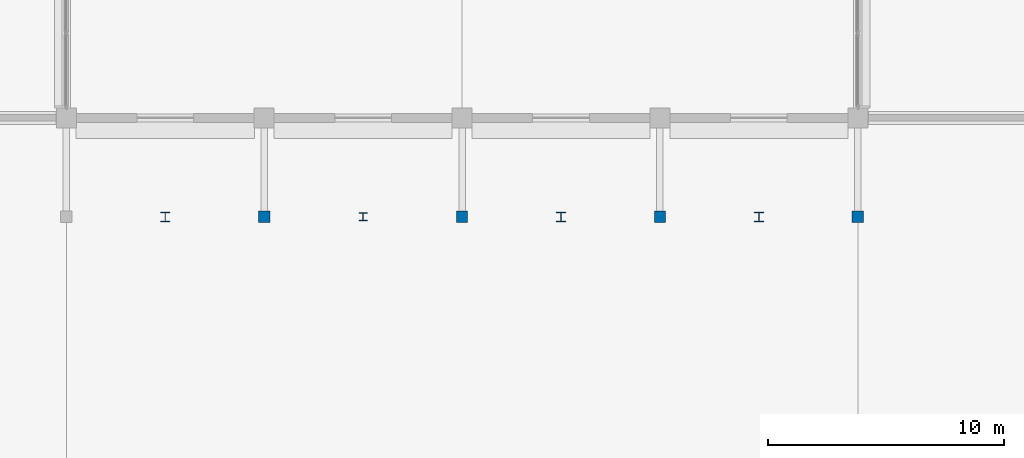
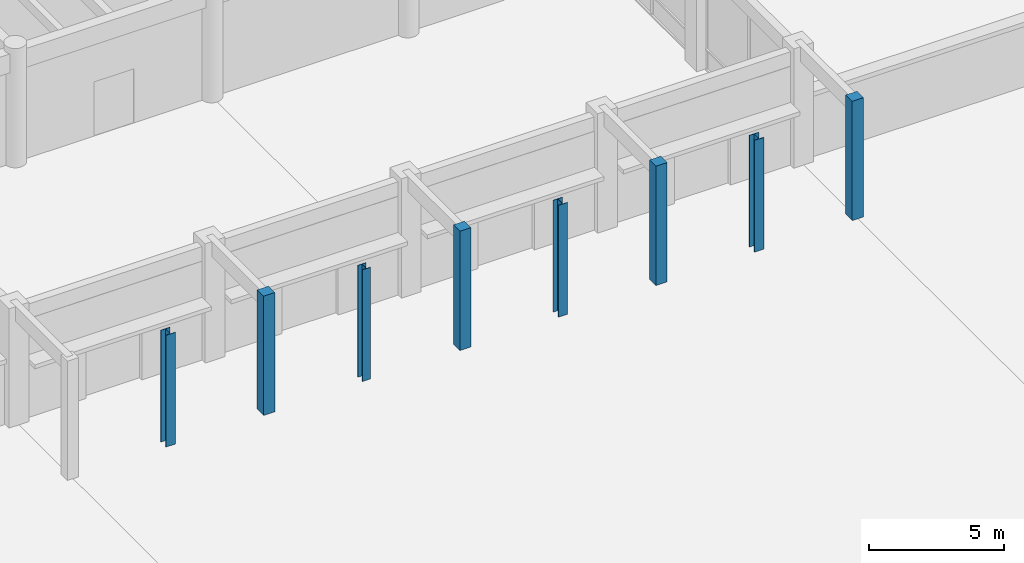
# One storey, part 2 of 73: 8 columns.
"""IFC4 building model written with IfcOpenShell, lengths in metres."""

from ifc_helpers import new_model, si_unit, direction, frame, origin, origin_2d, place, context, subcontext, project, spatial, rectangle, i_section, extrude, material, material_profile, profile_set, type_object, element, save


model = new_model("IFC4")

# Units and contexts
model_context = context("Model", 3, precision=1e-05, world=origin(), true_north=direction((0.0, 1.0)))
body_context = subcontext(model_context, "Body", "Model", "MODEL_VIEW")
ifc_project = project(units=[si_unit("LENGTHUNIT", "METRE"), si_unit("AREAUNIT", "SQUARE_METRE"), si_unit("VOLUMEUNIT", "CUBIC_METRE"), si_unit("PLANEANGLEUNIT", "RADIAN"), si_unit("MASSUNIT", "GRAM", prefix="KILO")], contexts=[model_context])

# Site, building, storey
site_placement = place(None, origin())
site = spatial("IfcSite", under=ifc_project, at=site_placement, CompositionType="ELEMENT")
building_placement = place(site_placement, origin())
building = spatial("IfcBuilding", under=site, at=building_placement, Name="Chengyuan Square Courthouse", CompositionType="ELEMENT")
storey_placement = place(building_placement, origin())
storey = spatial("IfcBuildingStorey", under=building, at=storey_placement, Name="L01", CompositionType="ELEMENT", Elevation=0.0)

# Columns
ifc_material_1 = material(Name="Glulam TCt28", Category="wood")
ifc_material_profile_1 = material_profile(ifc_material_1, rectangle(XDim=0.47998046875, YDim=0.47998046875, at=origin_2d()), Name="GL-COL-480x480")
ifc_profile_set_1 = profile_set([ifc_material_profile_1], Name="Glulam TCt28")
column_type_1 = type_object("IfcColumnType", Name="GL-01", PredefinedType="COLUMN", material=ifc_profile_set_1)
for number, where, z_axis, x_axis, name in (
    (1, (75.60009765625, 60.60009765625, 0.0), (0.0, 0.0, 1.0), (1.0, 0.0, 0.0), "Glulam Colonnade Column GLC-L01-022"),
    (2, (84.0, 60.60009765625, 0.0), (0.0, 0.0, 1.0), (1.0, 0.0, 0.0), "Glulam Colonnade Column GLC-L01-023"),
    (3, (92.39990234375, 60.60009765625, 0.0), (0.0, 0.0, 1.0), (1.0, 0.0, 0.0), "Glulam Colonnade Column GLC-L01-024"),
    (4, (100.800048828125, 60.60009765625, 0.0), (0.0, 0.0, 1.0), (1.0, 0.0, 0.0), "Glulam Colonnade Column GLC-L01-025"),
):
    element("IfcColumn", number, at=place(storey_placement, frame(where, z_axis=z_axis, x_axis=x_axis)), inside=storey, type_object=column_type_1, Name=name, PredefinedType="COLUMN", context=body_context, shape_type="SweptSolid", body=[
        extrude(rectangle(XDim=0.47998046875, YDim=0.47998046875, at=origin_2d()), origin(), (0.0, 0.0, 1.0), 5.39990234375),
    ])
ifc_material_2 = material(Name="Steel Q355B", Category="steel")
ifc_material_profile_2 = material_profile(ifc_material_2, i_section(OverallWidth=0.39990234375, OverallDepth=0.39990234375, WebThickness=0.012939453125, FlangeThickness=0.02099609375, at=origin_2d()), Name="HW 400x400x13x21")
ifc_profile_set_2 = profile_set([ifc_material_profile_2], Name="Steel Q355B")
column_type_2 = type_object("IfcColumnType", Name="SC-01", PredefinedType="COLUMN", material=ifc_profile_set_2)
for number, where, z_axis, x_axis, name in (
    (5, (71.39990234375, 60.60009765625, 0.0), (0.0, 0.0, 1.0), (1.0, 0.0, 0.0), "Forecourt Canopy Steel Post SCP-L01-01"),
    (6, (88.199951171875, 60.60009765625, 0.0), (0.0, 0.0, 1.0), (1.0, 0.0, 0.0), "Forecourt Canopy Steel Post SCP-L01-02"),
    (7, (96.60009765625, 60.60009765625, 0.0), (0.0, 0.0, 1.0), (1.0, 0.0, 0.0), "Forecourt Canopy Steel Post SCP-L01-03"),
):
    element("IfcColumn", number, at=place(storey_placement, frame(where, z_axis=z_axis, x_axis=x_axis)), inside=storey, type_object=column_type_2, Name=name, PredefinedType="COLUMN", context=body_context, shape_type="SweptSolid", body=[
        extrude(i_section(OverallWidth=0.39990234375, OverallDepth=0.39990234375, WebThickness=0.012939453125, FlangeThickness=0.02099609375, at=origin_2d()), origin(), (0.0, 0.0, 1.0), 5.06005859375),
    ])
ifc_material_profile_3 = material_profile(ifc_material_2, i_section(OverallWidth=0.35009765625, OverallDepth=0.35009765625, WebThickness=0.011962890625, FlangeThickness=0.01904296875, at=origin_2d()), Name="HW 350x350x12x19")
ifc_profile_set_3 = profile_set([ifc_material_profile_3], Name="Steel Q355B")
column_type_3 = type_object("IfcColumnType", Name="SC-02", PredefinedType="COLUMN", material=ifc_profile_set_3)
column_placement = place(storey_placement, frame((79.800048828125, 60.60009765625, 0.0), z_axis=(0.0, 0.0, 1.0), x_axis=(1.0, 0.0, 0.0)))
element("IfcColumn", 8, at=column_placement, inside=storey, type_object=column_type_3, Name="Forecourt Canopy Steel Post SCP-L01-06", PredefinedType="COLUMN", context=body_context, shape_type="SweptSolid", body=[
    extrude(i_section(OverallWidth=0.35009765625, OverallDepth=0.35009765625, WebThickness=0.011962890625, FlangeThickness=0.01904296875, at=origin_2d()), origin(), (0.0, 0.0, 1.0), 5.06005859375),
])

save(model, "model.ifc")
